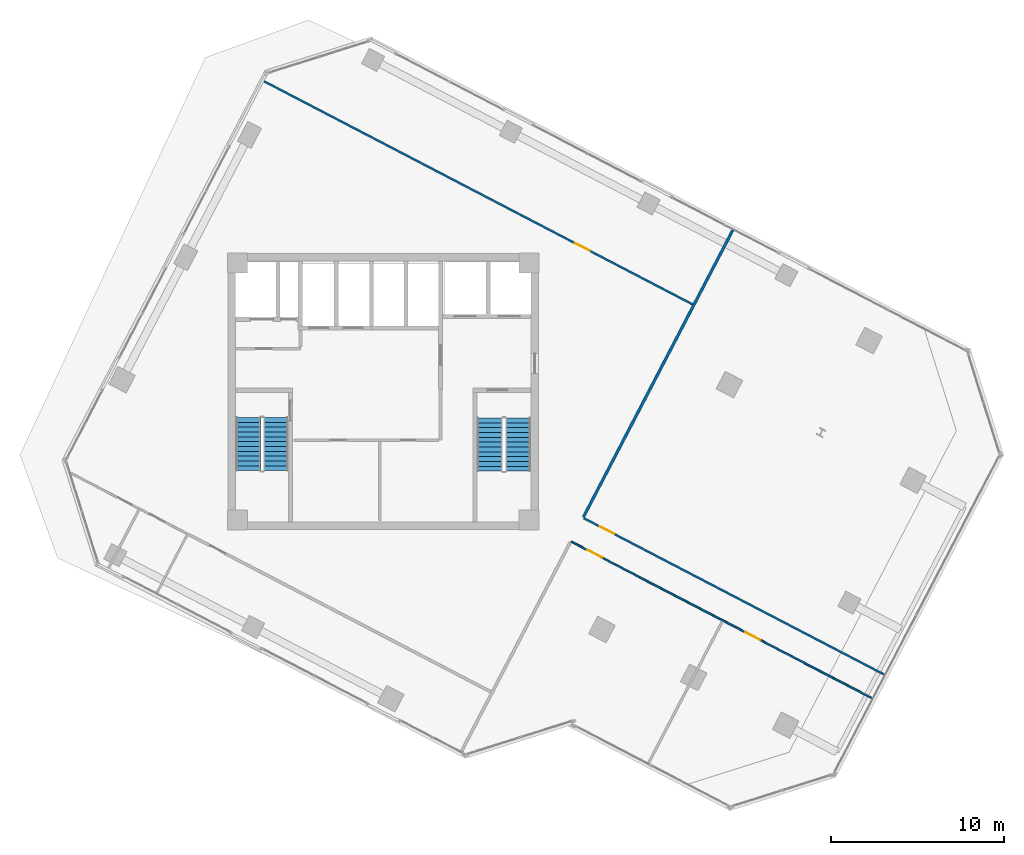
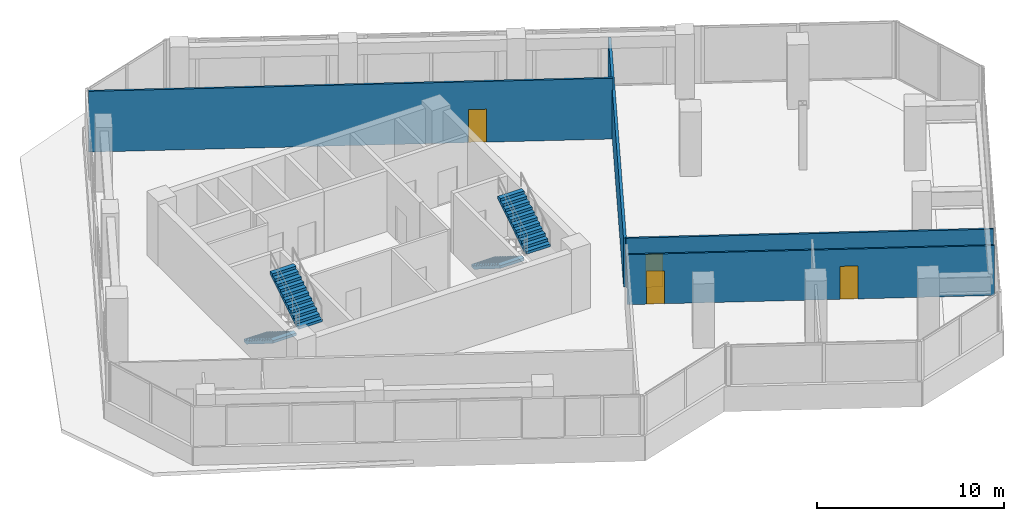
# One storey, part 18 of 22: 4 doors, 4 stair flights, 4 walls, 4 openings, 2 elements without a shape of their own.
"""IFC4 building model written with IfcOpenShell, lengths in metres."""

from ifc_helpers import new_model, si_unit, direction, frame, frame_2d, origin, place, context, subcontext, project, spatial, polyline, rectangle, outline, extrude, source, transform, mapped, material, layer, layer_set, type_object, element, fill, aggregate, save


model = new_model("IFC4")

# Units and contexts
model_context = context("Model", 3, precision=1e-05, world=origin(), true_north=direction((0.0, 1.0)))
body_context = subcontext(model_context, "Body", "Model", "MODEL_VIEW")
ifc_project = project(units=[si_unit("LENGTHUNIT", "METRE"), si_unit("AREAUNIT", "SQUARE_METRE"), si_unit("VOLUMEUNIT", "CUBIC_METRE"), si_unit("PLANEANGLEUNIT", "RADIAN"), si_unit("MASSUNIT", "GRAM", prefix="KILO")], contexts=[model_context])

# Site, building, storey
site_placement = place(None, origin())
site = spatial("IfcSite", under=ifc_project, at=site_placement, CompositionType="ELEMENT")
building_placement = place(site_placement, origin())
building = spatial("IfcBuilding", under=site, at=building_placement, Name="Torre Montelarca", CompositionType="ELEMENT")
storey_placement = place(building_placement, frame((0.0, 0.0, 166.60009765625)))
storey = spatial("IfcBuildingStorey", under=building, at=storey_placement, Name="L37", CompositionType="ELEMENT", Elevation=166.60009765625)

# Wall
ifc_material_1 = material(Name="Gypsum plasterboard on steel stud", Category="steel")
ifc_layer_1 = layer(ifc_material_1, 0.159912109375, Name="Gypsum plasterboard on steel stud", Category="steel")
ifc_layer_set_1 = layer_set([ifc_layer_1], Name="Gypsum plasterboard on steel stud")
wall_type_1 = type_object("IfcWallType", Name="PW-FIRE-160", PredefinedType="PARTITIONING", material=ifc_layer_set_1)
wall_1_placement = place(storey_placement, frame((29.59326171875, 24.720458984375, 0.0), z_axis=(0.0, 0.0, 1.0), x_axis=(0.461745249096, 0.88701258443, 0.0)))
element("IfcWall", 1, at=wall_1_placement, inside=storey, type_object=wall_type_1, Name="L37 Interior Partition W-L37-ECN", PredefinedType="PARTITIONING", context=body_context, shape_type="SweptSolid", body=[
    extrude(rectangle(XDim=18.739990234375, YDim=0.159912109375, at=frame_2d((9.3701171875, 0.0))), origin(), (0.0, 0.0, 1.0), 3.19482421875),
])

# Wall, openings, doors
ifc_material_2 = material(Name="Acoustic laminated glass partition", Category="glass")
ifc_layer_2 = layer(ifc_material_2, 0.10009765625, Name="Acoustic laminated glass partition", Category="glass")
ifc_layer_set_2 = layer_set([ifc_layer_2], Name="Acoustic laminated glass partition")
wall_type_2 = type_object("IfcWallType", Name="PW-GLAZ-100", PredefinedType="PARTITIONING", material=ifc_layer_set_2)
wall_2_placement = place(storey_placement, frame((28.899169921875, 23.300537109375, 0.0), z_axis=(0.0, 0.0, 1.0), x_axis=(0.887006056854, -0.461757788353, 0.0)))
wall_2 = element("IfcWall", 2, at=wall_2_placement, inside=storey, type_object=wall_type_2, Name="L37 Interior Partition W-L37-SE-N", PredefinedType="PARTITIONING", context=body_context, shape_type="SweptSolid", body=[
    extrude(rectangle(XDim=19.639892578125, YDim=0.10009765625, at=frame_2d((9.81982421875, 0.0))), origin(), (0.0, 0.0, 1.0), 3.25244140625),
])
opening_1_placement = place(wall_2_placement, frame((1.050048828125, 0.0, 0.0)))
opening_1 = element("IfcOpeningElement", 3, at=opening_1_placement, cuts=wall_2, Name="Opening ID-095", PredefinedType="OPENING", context=body_context, shape_type="SweptSolid", body=[
    extrude(rectangle(XDim=0.949951171875, YDim=2.14990234375, at=frame_2d((0.47509765625, 1.074951171875))), frame((0.0, 0.06005859375, 0.0), z_axis=(0.0, -1.0, 0.0), x_axis=(1.0, 0.0, 0.0)), (0.0, 0.0, 1.0), 0.1201171875),
])
opening_2_placement = place(wall_2_placement, frame((11.3798828125, 0.0, 0.0)))
opening_2 = element("IfcOpeningElement", 4, at=opening_2_placement, cuts=wall_2, Name="Opening ID-095", PredefinedType="OPENING", context=body_context, shape_type="SweptSolid", body=[
    extrude(rectangle(XDim=0.949951171875, YDim=2.14990234375, at=frame_2d((0.47509765625, 1.074951171875))), frame((0.0, 0.06005859375, 0.0), z_axis=(0.0, -1.0, 0.0), x_axis=(1.0, 0.0, 0.0)), (0.0, 0.0, 1.0), 0.1201171875),
])
ifc_material_3 = material(Name="Hardwood acoustic timber veneer", Category="wood")
door_type = type_object("IfcDoorType", Name="DR-INT-095", OperationType="NOTDEFINED", PredefinedType="DOOR", material=ifc_material_3)
shared_shape = source(origin(), body_context, "Body", "SweptSolid", [
    extrude(rectangle(XDim=0.949951171875, YDim=2.14990234375, at=frame_2d((0.47509765625, 1.074951171875))), frame((0.0, 0.02490234375, 0.0), z_axis=(0.0, -1.0, 0.0), x_axis=(1.0, 0.0, 0.0)), (0.0, 0.0, 1.0), 0.050048828125),
])
door_1_placement = place(opening_1_placement, origin())
door_1 = element("IfcDoor", 5, at=door_1_placement, inside=storey, type_object=door_type, Name="L37 Interior Door 09", OperationType="SINGLE_SWING_LEFT", OverallHeight=2.14990234375, OverallWidth=0.949951171875, PredefinedType="DOOR", context=body_context, shape_type="MappedRepresentation", body=[
    mapped(shared_shape, transform((0.0, 0.0, 0.0), scale=1.0)),
])
fill(opening_1, door_1)
door_2_placement = place(opening_2_placement, origin())
door_2 = element("IfcDoor", 6, at=door_2_placement, inside=storey, type_object=door_type, Name="L37 Interior Door 10", OperationType="SINGLE_SWING_RIGHT", OverallHeight=2.14990234375, OverallWidth=0.949951171875, PredefinedType="DOOR", context=body_context, shape_type="MappedRepresentation", body=[
    mapped(shared_shape, transform((0.0, 0.0, 0.0), scale=1.0)),
])
fill(opening_2, door_2)

# Wall, opening, door
ifc_layer_3 = layer(ifc_material_1, 0.114990234375, Name="Gypsum plasterboard on steel stud", Category="steel")
ifc_layer_set_3 = layer_set([ifc_layer_3], Name="Gypsum plasterboard on steel stud")
wall_type_3 = type_object("IfcWallType", Name="PW-PART-115", PredefinedType="PARTITIONING", material=ifc_layer_set_3)
wall_3_placement = place(storey_placement, frame((11.103515625, 49.97119140625, 0.0), z_axis=(0.0, 0.0, 1.0), x_axis=(0.887010001249, -0.461750211353, 0.0)))
wall_3 = element("IfcWall", 7, at=wall_3_placement, inside=storey, type_object=wall_type_3, Name="L37 Interior Partition W-L37-NBOT", PredefinedType="PARTITIONING", context=body_context, shape_type="SweptSolid", body=[
    extrude(rectangle(XDim=28.02001953125, YDim=0.114990234375, at=frame_2d((14.010009765625, 0.0))), origin(), (0.0, 0.0, 1.0), 3.9599609375),
])
opening_3_placement = place(wall_3_placement, frame((20.31005859375, 0.0, 0.0)))
opening_3 = element("IfcOpeningElement", 8, at=opening_3_placement, cuts=wall_3, Name="Opening ID-095", PredefinedType="OPENING", context=body_context, shape_type="SweptSolid", body=[
    extrude(rectangle(XDim=0.949951171875, YDim=2.14990234375, at=frame_2d((0.47509765625, 1.074951171875))), frame((0.0, 0.0673828125, 0.0), z_axis=(0.0, -1.0, 0.0), x_axis=(1.0, 0.0, 0.0)), (0.0, 0.0, 1.0), 0.135009765625),
])
door_3_placement = place(opening_3_placement, origin())
door_3 = element("IfcDoor", 9, at=door_3_placement, inside=storey, type_object=door_type, Name="L37 Interior Door 07", OperationType="SINGLE_SWING_LEFT", OverallHeight=2.14990234375, OverallWidth=0.949951171875, PredefinedType="DOOR", context=body_context, shape_type="MappedRepresentation", body=[
    mapped(shared_shape, transform((0.0, 0.0, 0.0), scale=1.0)),
])
fill(opening_3, door_3)

wall_4_placement = place(storey_placement, frame((29.610107421875, 24.66650390625, 0.0), z_axis=(0.0, 0.0, 1.0), x_axis=(0.887013798673, -0.461742916527, 0.0)))
wall_4 = element("IfcWall", 10, at=wall_4_placement, inside=storey, type_object=wall_type_3, Name="L37 Interior Partition W-L37-NE-S", PredefinedType="PARTITIONING", context=body_context, shape_type="SweptSolid", body=[
    extrude(rectangle(XDim=19.639892578125, YDim=0.114990234375, at=frame_2d((9.81982421875, 0.0))), origin(), (0.0, 0.0, 1.0), 3.25244140625),
])
opening_4_placement = place(wall_4_placement, frame((1.050048828125, 0.0, 0.0)))
opening_4 = element("IfcOpeningElement", 11, at=opening_4_placement, cuts=wall_4, Name="Opening ID-095", PredefinedType="OPENING", context=body_context, shape_type="SweptSolid", body=[
    extrude(rectangle(XDim=0.949951171875, YDim=2.14990234375, at=frame_2d((0.47509765625, 1.074951171875))), frame((0.0, 0.0673828125, 0.0), z_axis=(0.0, -1.0, 0.0), x_axis=(1.0, 0.0, 0.0)), (0.0, 0.0, 1.0), 0.135009765625),
])
door_4_placement = place(opening_4_placement, origin())
door_4 = element("IfcDoor", 12, at=door_4_placement, inside=storey, type_object=door_type, Name="L37 Interior Door 08", OperationType="SINGLE_SWING_LEFT", OverallHeight=2.14990234375, OverallWidth=0.949951171875, PredefinedType="DOOR", context=body_context, shape_type="MappedRepresentation", body=[
    mapped(shared_shape, transform((0.0, 0.0, 0.0), scale=1.0)),
])
fill(opening_4, door_4)

# Stair, stair flights
ifc_material_4 = material(Name="Concrete C40/50", Category="concrete")
stair_type_1 = type_object("IfcStairType", Name="ST-CORE-ST1", PredefinedType="HALF_TURN_STAIR", material=ifc_material_4)
stair_1_placement = place(storey_placement, origin())
stair_1 = element("IfcStair", 13, at=stair_1_placement, inside=storey, type_object=stair_type_1, Name="L37 Protected Exit Stair ST1", PredefinedType="HALF_TURN_STAIR")
stair_flight_type_1 = type_object("IfcStairFlightType", Name="SFL-CORE-ST1", PredefinedType="STRAIGHT", material=ifc_material_4)
stair_flight_1_placement = place(storey_placement, frame((10.175048828125, 30.5, 0.0), z_axis=(0.0, 0.0, 1.0), x_axis=(0.0, -1.0, 0.0)))
stair_flight_1 = element("IfcStairFlight", 14, at=stair_flight_1_placement, type_object=stair_flight_type_1, Name="ST1 flight 1", NumberOfRisers=12, NumberOfTreads=11, PredefinedType="STRAIGHT", RiserHeight=0.175, TreadLength=0.28, context=body_context, shape_type="SweptSolid", body=[
    extrude(outline(polyline([(0.0, 0.0), (0.0, 0.175048828125), (0.280029296875, 0.175048828125), (0.280029296875, 0.35009765625), (0.56005859375, 0.35009765625), (0.56005859375, 0.52490234375), (0.840087890625, 0.52490234375), (0.840087890625, 0.699951171875), (1.1201171875, 0.699951171875), (1.1201171875, 0.875), (1.39990234375, 0.875), (1.39990234375, 1.050048828125), (1.679931640625, 1.050048828125), (1.679931640625, 1.22509765625), (1.9599609375, 1.22509765625), (1.9599609375, 1.39990234375), (2.239990234375, 1.39990234375), (2.239990234375, 1.574951171875), (2.52001953125, 1.574951171875), (2.52001953125, 1.75), (2.800048828125, 1.75), (2.800048828125, 1.925048828125), (3.080078125, 1.925048828125), (3.080078125, 2.10009765625), (3.080078125, 1.748291015625), (0.28271484375, 0.0), (0.0, 0.0)])), frame((0.0, 0.72509765625, 0.0), z_axis=(0.0, -1.0, 0.0), x_axis=(1.0, 0.0, 0.0)), (0.0, 0.0, 1.0), 1.449951171875),
])
stair_flight_2_placement = place(storey_placement, frame((11.77490234375, 27.419921875, 2.099853515625), z_axis=(0.0, 0.0, 1.0), x_axis=(0.0, 1.0, 0.0)))
stair_flight_2 = element("IfcStairFlight", 15, at=stair_flight_2_placement, type_object=stair_flight_type_1, Name="ST1 flight 2", NumberOfRisers=12, NumberOfTreads=11, PredefinedType="STRAIGHT", RiserHeight=0.175, TreadLength=0.28, context=body_context, shape_type="SweptSolid", body=[
    extrude(outline(polyline([(0.0, 0.0), (0.0, 0.175048828125), (0.280029296875, 0.175048828125), (0.280029296875, 0.35009765625), (0.56005859375, 0.35009765625), (0.56005859375, 0.52490234375), (0.840087890625, 0.52490234375), (0.840087890625, 0.699951171875), (1.1201171875, 0.699951171875), (1.1201171875, 0.875), (1.39990234375, 0.875), (1.39990234375, 1.050048828125), (1.679931640625, 1.050048828125), (1.679931640625, 1.22509765625), (1.9599609375, 1.22509765625), (1.9599609375, 1.39990234375), (2.239990234375, 1.39990234375), (2.239990234375, 1.574951171875), (2.52001953125, 1.574951171875), (2.52001953125, 1.75), (2.800048828125, 1.75), (2.800048828125, 1.925048828125), (3.080078125, 1.925048828125), (3.080078125, 2.10009765625), (3.080078125, 1.748291015625), (0.28271484375, 0.0), (0.0, 0.0)])), frame((0.0, 0.72509765625, 0.0), z_axis=(0.0, -1.0, 0.0), x_axis=(1.0, 0.0, 0.0)), (0.0, 0.0, 1.0), 1.449951171875),
])
aggregate(stair_1, [stair_flight_1, stair_flight_2])

stair_type_2 = type_object("IfcStairType", Name="ST-CORE-ST2", PredefinedType="HALF_TURN_STAIR", material=ifc_material_4)
stair_2_placement = place(storey_placement, origin())
stair_2 = element("IfcStair", 16, at=stair_2_placement, inside=storey, type_object=stair_type_2, Name="L37 Protected Exit Stair ST2", PredefinedType="HALF_TURN_STAIR")
stair_flight_type_2 = type_object("IfcStairFlightType", Name="SFL-CORE-ST2", PredefinedType="STRAIGHT", material=ifc_material_4)
stair_flight_3_placement = place(storey_placement, frame((24.179931640625, 30.469970703125, 0.0), z_axis=(0.0, 0.0, 1.0), x_axis=(0.0, -1.0, 0.0)))
stair_flight_3 = element("IfcStairFlight", 17, at=stair_flight_3_placement, type_object=stair_flight_type_2, Name="ST2 flight 1", NumberOfRisers=12, NumberOfTreads=11, PredefinedType="STRAIGHT", RiserHeight=0.175, TreadLength=0.28, context=body_context, shape_type="SweptSolid", body=[
    extrude(outline(polyline([(0.0, 0.0), (0.0, 0.175048828125), (0.280029296875, 0.175048828125), (0.280029296875, 0.35009765625), (0.56005859375, 0.35009765625), (0.56005859375, 0.52490234375), (0.840087890625, 0.52490234375), (0.840087890625, 0.699951171875), (1.1201171875, 0.699951171875), (1.1201171875, 0.875), (1.39990234375, 0.875), (1.39990234375, 1.050048828125), (1.679931640625, 1.050048828125), (1.679931640625, 1.22509765625), (1.9599609375, 1.22509765625), (1.9599609375, 1.39990234375), (2.239990234375, 1.39990234375), (2.239990234375, 1.574951171875), (2.52001953125, 1.574951171875), (2.52001953125, 1.75), (2.800048828125, 1.75), (2.800048828125, 1.925048828125), (3.080078125, 1.925048828125), (3.080078125, 2.10009765625), (3.080078125, 1.748291015625), (0.28271484375, 0.0), (0.0, 0.0)])), frame((0.0, 0.739990234375, 0.0), z_axis=(0.0, -1.0, 0.0), x_axis=(1.0, 0.0, 0.0)), (0.0, 0.0, 1.0), 1.47998046875),
])
stair_flight_4_placement = place(storey_placement, frame((25.81005859375, 27.389892578125, 2.099853515625), z_axis=(0.0, 0.0, 1.0), x_axis=(0.0, 1.0, 0.0)))
stair_flight_4 = element("IfcStairFlight", 18, at=stair_flight_4_placement, type_object=stair_flight_type_2, Name="ST2 flight 2", NumberOfRisers=12, NumberOfTreads=11, PredefinedType="STRAIGHT", RiserHeight=0.175, TreadLength=0.28, context=body_context, shape_type="SweptSolid", body=[
    extrude(outline(polyline([(0.0, 0.0), (0.0, 0.175048828125), (0.280029296875, 0.175048828125), (0.280029296875, 0.35009765625), (0.56005859375, 0.35009765625), (0.56005859375, 0.52490234375), (0.840087890625, 0.52490234375), (0.840087890625, 0.699951171875), (1.1201171875, 0.699951171875), (1.1201171875, 0.875), (1.39990234375, 0.875), (1.39990234375, 1.050048828125), (1.679931640625, 1.050048828125), (1.679931640625, 1.22509765625), (1.9599609375, 1.22509765625), (1.9599609375, 1.39990234375), (2.239990234375, 1.39990234375), (2.239990234375, 1.574951171875), (2.52001953125, 1.574951171875), (2.52001953125, 1.75), (2.800048828125, 1.75), (2.800048828125, 1.925048828125), (3.080078125, 1.925048828125), (3.080078125, 2.10009765625), (3.080078125, 1.748291015625), (0.28271484375, 0.0), (0.0, 0.0)])), frame((0.0, 0.739990234375, 0.0), z_axis=(0.0, -1.0, 0.0), x_axis=(1.0, 0.0, 0.0)), (0.0, 0.0, 1.0), 1.47998046875),
])
aggregate(stair_2, [stair_flight_3, stair_flight_4])

save(model, "model.ifc")
